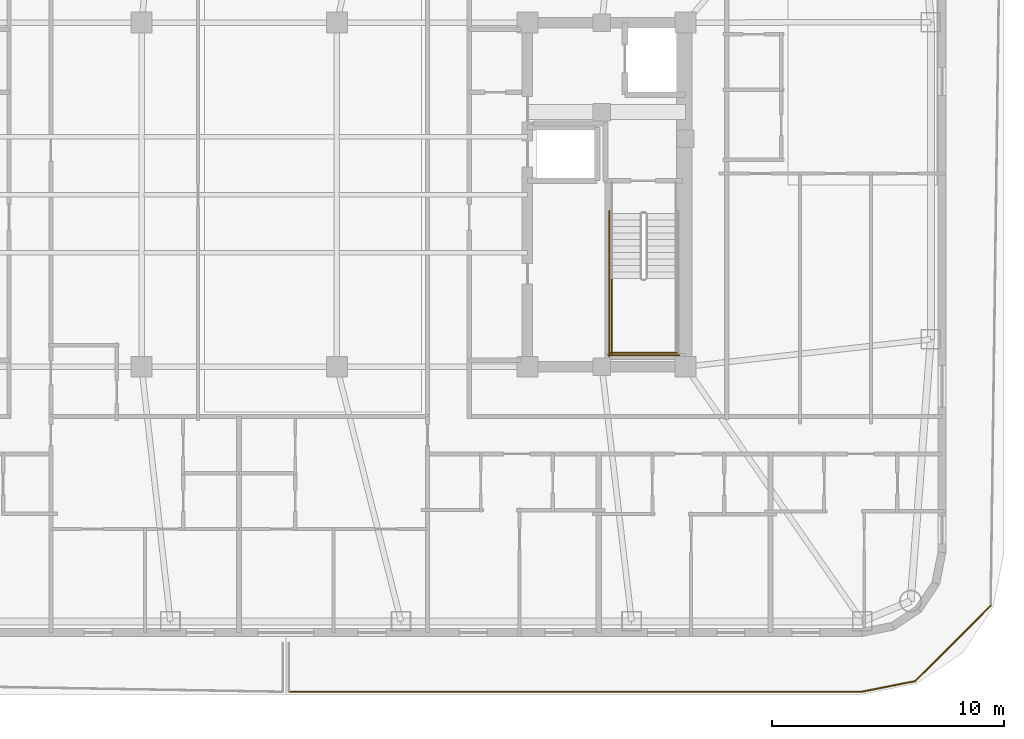
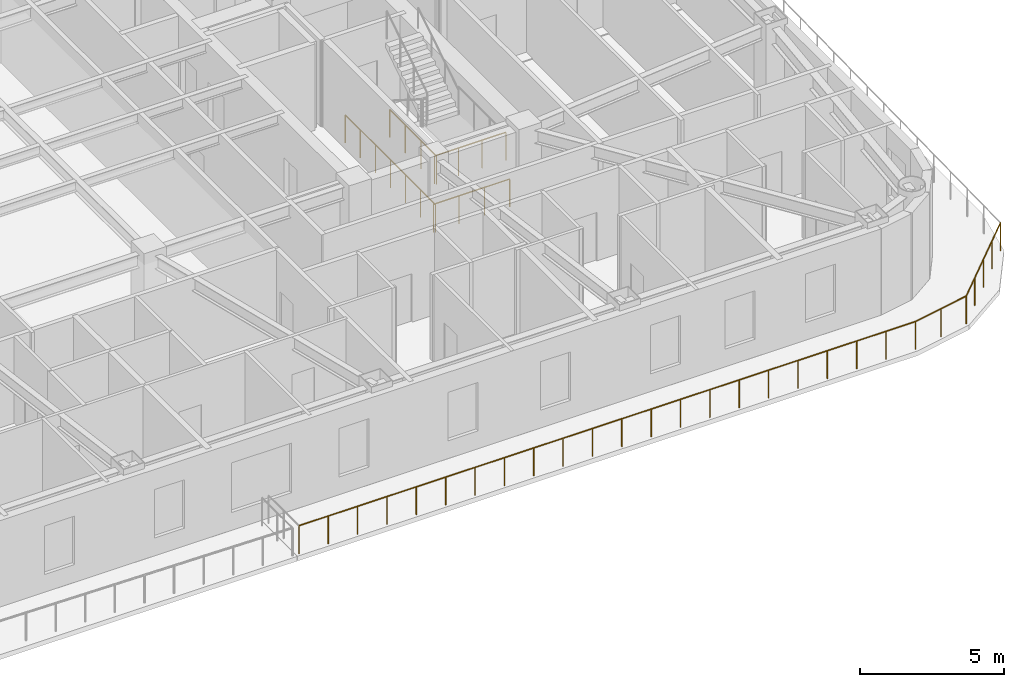
# One storey, part 13 of 15: 7 railings.
"""IFC4 building model written with IfcOpenShell, lengths in metres."""

from ifc_helpers import new_model, si_unit, direction, frame, origin, origin_2d, place, context, subcontext, project, spatial, circle, extrude, material, type_object, element, save


model = new_model("IFC4")

# Units and contexts
model_context = context("Model", 3, precision=1e-05, world=origin(), true_north=direction((0.0, 1.0)))
body_context = subcontext(model_context, "Body", "Model", "MODEL_VIEW")
ifc_project = project(units=[si_unit("LENGTHUNIT", "METRE"), si_unit("AREAUNIT", "SQUARE_METRE"), si_unit("VOLUMEUNIT", "CUBIC_METRE"), si_unit("PLANEANGLEUNIT", "RADIAN"), si_unit("MASSUNIT", "GRAM", prefix="KILO")], contexts=[model_context])

# Site, building, storey
site_placement = place(None, origin())
site = spatial("IfcSite", under=ifc_project, at=site_placement, CompositionType="ELEMENT")
building_placement = place(site_placement, origin())
building = spatial("IfcBuilding", under=site, at=building_placement, Name="Voryun Gate Residences", CompositionType="ELEMENT")
storey_placement = place(building_placement, frame((0.0, 0.0, 231.39990234375)))
storey = spatial("IfcBuildingStorey", under=building, at=storey_placement, Name="L57", CompositionType="ELEMENT", Elevation=231.39990234375)

# Railings
ifc_material_1 = material(Name="Anodised aluminium", Category="aluminium")
railing_type_1 = type_object("IfcRailingType", Name="RAIL_BALCONY_GUARD_1200", PredefinedType="GUARDRAIL", material=ifc_material_1)
railing_1_placement = place(storey_placement, frame((32.322509765625, -17.6875, 0.0)))
element("IfcRailing", 1, at=railing_1_placement, inside=storey, type_object=railing_type_1, Name="Terrace guard RL-L57-P2L1-04", PredefinedType="GUARDRAIL", context=body_context, shape_type="SweptSolid", body=[
    extrude(circle(Radius=0.02392578125, at=origin_2d()), frame((0.0, 0.0, 1.17578125), z_axis=(-0.707106781187, -0.707106781187, 0.0), x_axis=(0.707106781187, -0.707106781187, 0.0)), (0.0, 0.0, 1.0), 4.5751953125),
    extrude(circle(Radius=0.02099609375, at=origin_2d()), origin(), (0.0, 0.0, 1.0), 1.15185546875),
    extrude(circle(Radius=0.02099609375, at=origin_2d()), frame((-0.808837890625, -0.808837890625, 0.0)), (0.0, 0.0, 1.0), 1.15185546875),
    extrude(circle(Radius=0.02099609375, at=origin_2d()), frame((-1.61767578125, -1.61767578125, 0.0)), (0.0, 0.0, 1.0), 1.15185546875),
    extrude(circle(Radius=0.02099609375, at=origin_2d()), frame((-2.42626953125, -2.42626953125, 0.0)), (0.0, 0.0, 1.0), 1.15185546875),
    extrude(circle(Radius=0.02099609375, at=origin_2d()), frame((-3.235107421875, -3.235107421875, 0.0)), (0.0, 0.0, 1.0), 1.15185546875),
])
railing_2_placement = place(storey_placement, frame((29.08740234375, -20.922607421875, 0.0)))
element("IfcRailing", 2, at=railing_2_placement, inside=storey, type_object=railing_type_1, Name="Terrace guard RL-L57-P2L1-05", PredefinedType="GUARDRAIL", context=body_context, shape_type="SweptSolid", body=[
    extrude(circle(Radius=0.02392578125, at=origin_2d()), frame((0.0, 0.0, 1.17578125), z_axis=(-0.980792387008, -0.1950545913, 0.0), x_axis=(0.1950545913, -0.980792387008, 0.0)), (0.0, 0.0, 1.0), 2.34423828125),
    extrude(circle(Radius=0.02099609375, at=origin_2d()), origin(), (0.0, 0.0, 1.0), 1.15185546875),
    extrude(circle(Radius=0.02099609375, at=origin_2d()), frame((-1.149658203125, -0.228515625, 0.0)), (0.0, 0.0, 1.0), 1.15185546875),
    extrude(circle(Radius=0.02099609375, at=origin_2d()), frame((-2.29931640625, -0.457275390625, 0.0)), (0.0, 0.0, 1.0), 1.15185546875),
])
railing_3_placement = place(storey_placement, frame((26.7880859375, -21.3798828125, 0.0)))
element("IfcRailing", 3, at=railing_3_placement, inside=storey, type_object=railing_type_1, Name="Terrace guard RL-L57-P2L1-06", PredefinedType="GUARDRAIL", context=body_context, shape_type="SweptSolid", body=[
    extrude(circle(Radius=0.02392578125, at=origin_2d()), frame((0.0, 0.0, 1.17578125), z_axis=(-1.0, 0.0, 0.0), x_axis=(0.0, -1.0, 0.0)), (0.0, 0.0, 1.0), 24.658203125),
    extrude(circle(Radius=0.02099609375, at=origin_2d()), origin(), (0.0, 0.0, 1.0), 1.15185546875),
    extrude(circle(Radius=0.02099609375, at=origin_2d()), frame((-1.17431640625, 0.0, 0.0)), (0.0, 0.0, 1.0), 1.15185546875),
    extrude(circle(Radius=0.02099609375, at=origin_2d()), frame((-2.348388671875, 0.0, 0.0)), (0.0, 0.0, 1.0), 1.15185546875),
    extrude(circle(Radius=0.02099609375, at=origin_2d()), frame((-3.522705078125, 0.0, 0.0)), (0.0, 0.0, 1.0), 1.15185546875),
    extrude(circle(Radius=0.02099609375, at=origin_2d()), frame((-4.69677734375, 0.0, 0.0)), (0.0, 0.0, 1.0), 1.15185546875),
    extrude(circle(Radius=0.02099609375, at=origin_2d()), frame((-5.87109375, 0.0, 0.0)), (0.0, 0.0, 1.0), 1.15185546875),
    extrude(circle(Radius=0.02099609375, at=origin_2d()), frame((-7.045166015625, 0.0, 0.0)), (0.0, 0.0, 1.0), 1.15185546875),
    extrude(circle(Radius=0.02099609375, at=origin_2d()), frame((-8.219482421875, 0.0, 0.0)), (0.0, 0.0, 1.0), 1.15185546875),
    extrude(circle(Radius=0.02099609375, at=origin_2d()), frame((-9.3935546875, 0.0, 0.0)), (0.0, 0.0, 1.0), 1.15185546875),
    extrude(circle(Radius=0.02099609375, at=origin_2d()), frame((-10.56787109375, 0.0, 0.0)), (0.0, 0.0, 1.0), 1.15185546875),
    extrude(circle(Radius=0.02099609375, at=origin_2d()), frame((-11.741943359375, 0.0, 0.0)), (0.0, 0.0, 1.0), 1.15185546875),
    extrude(circle(Radius=0.02099609375, at=origin_2d()), frame((-12.916259765625, 0.0, 0.0)), (0.0, 0.0, 1.0), 1.15185546875),
    extrude(circle(Radius=0.02099609375, at=origin_2d()), frame((-14.09033203125, 0.0, 0.0)), (0.0, 0.0, 1.0), 1.15185546875),
    extrude(circle(Radius=0.02099609375, at=origin_2d()), frame((-15.2646484375, 0.0, 0.0)), (0.0, 0.0, 1.0), 1.15185546875),
    extrude(circle(Radius=0.02099609375, at=origin_2d()), frame((-16.438720703125, 0.0, 0.0)), (0.0, 0.0, 1.0), 1.15185546875),
    extrude(circle(Radius=0.02099609375, at=origin_2d()), frame((-17.613037109375, 0.0, 0.0)), (0.0, 0.0, 1.0), 1.15185546875),
    extrude(circle(Radius=0.02099609375, at=origin_2d()), frame((-18.787109375, 0.0, 0.0)), (0.0, 0.0, 1.0), 1.15185546875),
    extrude(circle(Radius=0.02099609375, at=origin_2d()), frame((-19.96142578125, 0.0, 0.0)), (0.0, 0.0, 1.0), 1.15185546875),
    extrude(circle(Radius=0.02099609375, at=origin_2d()), frame((-21.135498046875, 0.0, 0.0)), (0.0, 0.0, 1.0), 1.15185546875),
    extrude(circle(Radius=0.02099609375, at=origin_2d()), frame((-22.309814453125, 0.0, 0.0)), (0.0, 0.0, 1.0), 1.15185546875),
    extrude(circle(Radius=0.02099609375, at=origin_2d()), frame((-23.48388671875, 0.0, 0.0)), (0.0, 0.0, 1.0), 1.15185546875),
    extrude(circle(Radius=0.02099609375, at=origin_2d()), frame((-24.658203125, 0.0, 0.0)), (0.0, 0.0, 1.0), 1.15185546875),
])
ifc_material_2 = material(Name="Painted steel", Category="steel")
railing_type_2 = type_object("IfcRailingType", Name="RAIL_STAIR_GUARD_1200", PredefinedType="GUARDRAIL", material=ifc_material_2)
railing_4_placement = place(storey_placement, frame((16.02490234375, -3.60009765625, 1.9501953125)))
element("IfcRailing", 4, at=railing_4_placement, inside=storey, type_object=railing_type_2, Name="L57 ST-E1 stair guard 3", PredefinedType="GUARDRAIL", context=body_context, shape_type="SweptSolid", body=[
    extrude(circle(Radius=0.02392578125, at=origin_2d()), frame((0.0, 0.0, 1.17578125), z_axis=(0.0, -1.0, 0.0), x_axis=(1.0, 0.0, 0.0)), (0.0, 0.0, 1.0), 3.25),
    extrude(circle(Radius=0.02099609375, at=origin_2d()), origin(), (0.0, 0.0, 1.0), 1.15185546875),
    extrude(circle(Radius=0.02099609375, at=origin_2d()), frame((0.0, -1.083251953125, 0.0)), (0.0, 0.0, 1.0), 1.15185546875),
    extrude(circle(Radius=0.02099609375, at=origin_2d()), frame((0.0, -2.166748046875, 0.0)), (0.0, 0.0, 1.0), 1.15185546875),
    extrude(circle(Radius=0.02099609375, at=origin_2d()), frame((0.0, -3.25, 0.0)), (0.0, 0.0, 1.0), 1.15185546875),
])
railing_5_placement = place(storey_placement, frame((15.97509765625, -6.800048828125, 1.9501953125)))
element("IfcRailing", 5, at=railing_5_placement, inside=storey, type_object=railing_type_2, Name="L57 ST-E1 stair guard 5", PredefinedType="GUARDRAIL", context=body_context, shape_type="SweptSolid", body=[
    extrude(circle(Radius=0.02392578125, at=origin_2d()), frame((0.0, 0.0, 1.17578125), z_axis=(1.0, 0.0, 0.0), x_axis=(0.0, 1.0, 0.0)), (0.0, 0.0, 1.0), 2.849853515625),
    extrude(circle(Radius=0.02099609375, at=origin_2d()), origin(), (0.0, 0.0, 1.0), 1.15185546875),
    extrude(circle(Radius=0.02099609375, at=origin_2d()), frame((0.949951171875, 0.0, 0.0)), (0.0, 0.0, 1.0), 1.15185546875),
    extrude(circle(Radius=0.02099609375, at=origin_2d()), frame((1.89990234375, 0.0, 0.0)), (0.0, 0.0, 1.0), 1.15185546875),
    extrude(circle(Radius=0.02099609375, at=origin_2d()), frame((2.849853515625, 0.0, 0.0)), (0.0, 0.0, 1.0), 1.15185546875),
])
railing_6_placement = place(storey_placement, frame((15.925048828125, -0.699951171875, 0.0)))
element("IfcRailing", 6, at=railing_6_placement, inside=storey, type_object=railing_type_2, Name="L57 ST-E1 stair guard 10", PredefinedType="GUARDRAIL", context=body_context, shape_type="SweptSolid", body=[
    extrude(circle(Radius=0.02392578125, at=origin_2d()), frame((0.0, 0.0, 1.17578125), z_axis=(0.0, -1.0, 0.0), x_axis=(1.0, 0.0, 0.0)), (0.0, 0.0, 1.0), 6.25),
    extrude(circle(Radius=0.02099609375, at=origin_2d()), origin(), (0.0, 0.0, 1.0), 1.15185546875),
    extrude(circle(Radius=0.02099609375, at=origin_2d()), frame((0.0, -1.041748046875, 0.0)), (0.0, 0.0, 1.0), 1.15185546875),
    extrude(circle(Radius=0.02099609375, at=origin_2d()), frame((0.0, -2.083251953125, 0.0)), (0.0, 0.0, 1.0), 1.15185546875),
    extrude(circle(Radius=0.02099609375, at=origin_2d()), frame((0.0, -3.125, 0.0)), (0.0, 0.0, 1.0), 1.15185546875),
    extrude(circle(Radius=0.02099609375, at=origin_2d()), frame((0.0, -4.166748046875, 0.0)), (0.0, 0.0, 1.0), 1.15185546875),
    extrude(circle(Radius=0.02099609375, at=origin_2d()), frame((0.0, -5.208251953125, 0.0)), (0.0, 0.0, 1.0), 1.15185546875),
    extrude(circle(Radius=0.02099609375, at=origin_2d()), frame((0.0, -6.25, 0.0)), (0.0, 0.0, 1.0), 1.15185546875),
])
railing_7_placement = place(storey_placement, frame((15.875, -6.89990234375, 0.0)))
element("IfcRailing", 7, at=railing_7_placement, inside=storey, type_object=railing_type_2, Name="L57 ST-E1 stair guard 12", PredefinedType="GUARDRAIL", context=body_context, shape_type="SweptSolid", body=[
    extrude(circle(Radius=0.02392578125, at=origin_2d()), frame((0.0, 0.0, 1.17578125), z_axis=(1.0, 0.0, 0.0), x_axis=(0.0, 1.0, 0.0)), (0.0, 0.0, 1.0), 3.050048828125),
    extrude(circle(Radius=0.02099609375, at=origin_2d()), origin(), (0.0, 0.0, 1.0), 1.15185546875),
    extrude(circle(Radius=0.02099609375, at=origin_2d()), frame((1.0166015625, 0.0, 0.0)), (0.0, 0.0, 1.0), 1.15185546875),
    extrude(circle(Radius=0.02099609375, at=origin_2d()), frame((2.033447265625, 0.0, 0.0)), (0.0, 0.0, 1.0), 1.15185546875),
    extrude(circle(Radius=0.02099609375, at=origin_2d()), frame((3.050048828125, 0.0, 0.0)), (0.0, 0.0, 1.0), 1.15185546875),
])

save(model, "model.ifc")
